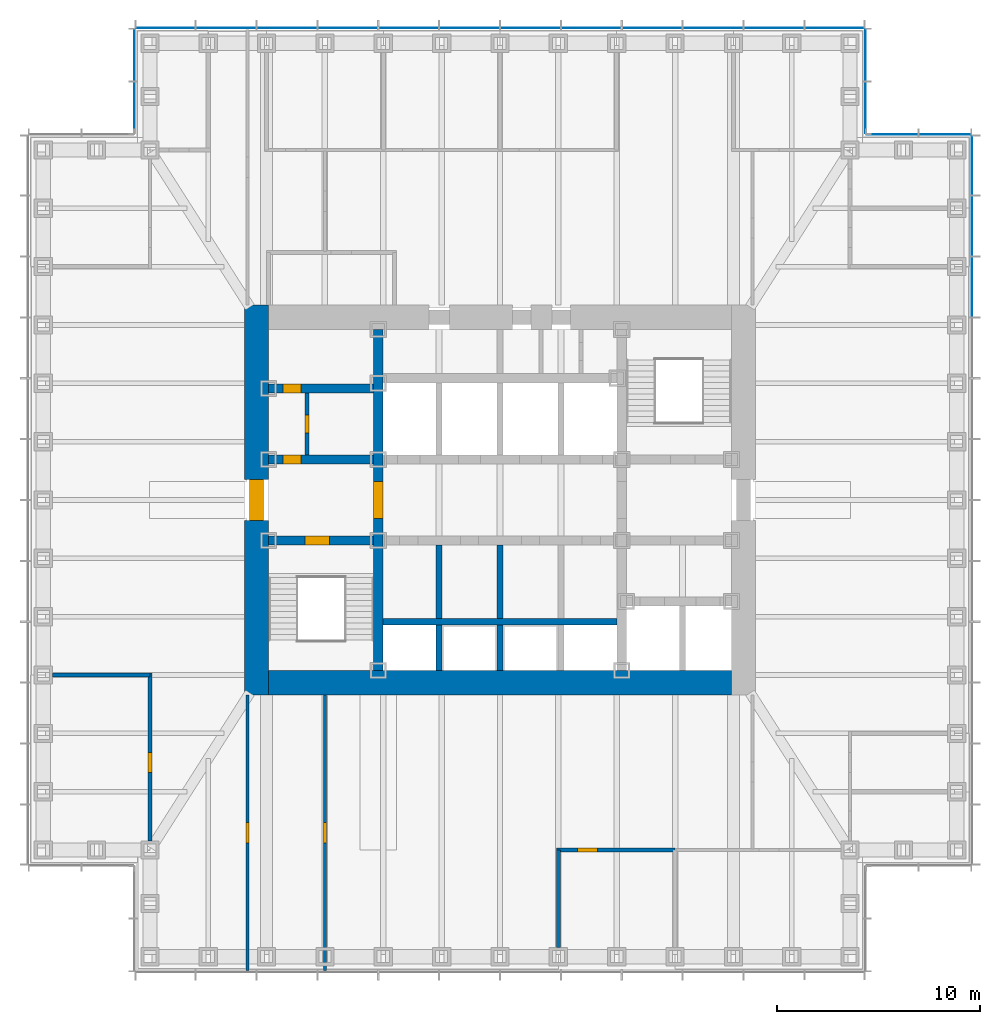
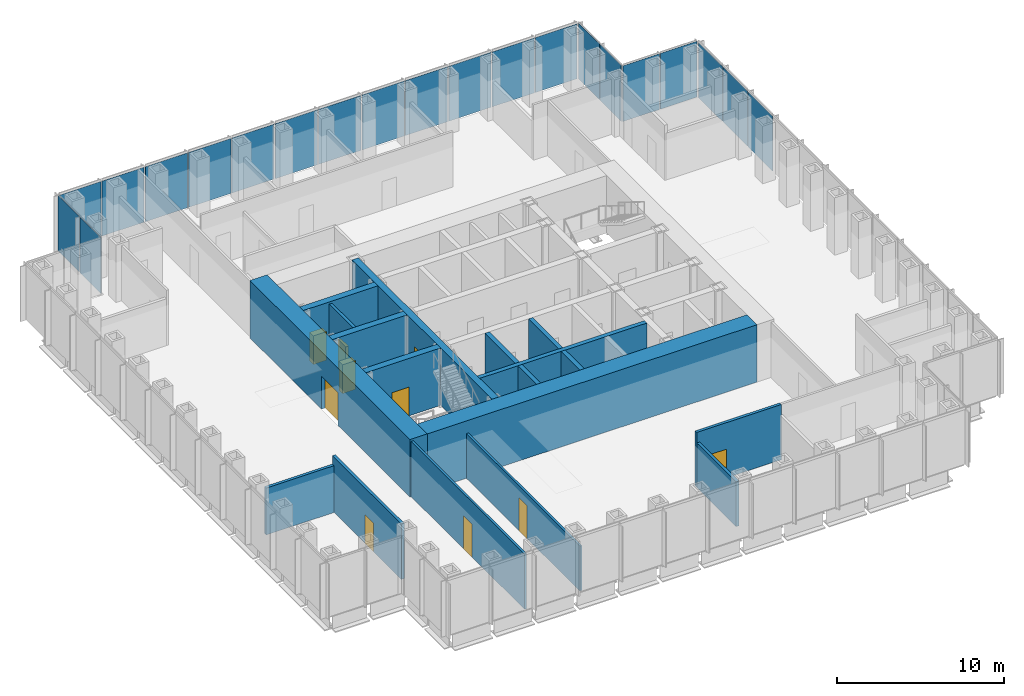
# One storey, part 8 of 17: 21 plates, 18 walls, 10 doors, 10 openings, 5 elements without a shape of their own.
"""IFC4 building model written with IfcOpenShell, lengths in metres."""

import ifcopenshell
import ifcopenshell.guid

model = None  # the IFC model being written
_history = None  # IfcOwnerHistory: only IFC2X3 demands one
_inside = {}  # id of a spatial element -> (the spatial element, [elements in it])
_under = {}  # id of a project, library or spatial element -> (it, [spatial elements below it])
_declared = {}  # id of a project -> (the project, [libraries it declares])
_typed = {}  # id of a type object -> (the type object, [elements of that type])
_made_of = {}  # id of a material, layer set ... -> (it, [elements and type objects made of it])


def new_model(schema):
    """Start an empty IFC model of exactly this schema.

    Asked for "IFC4X3", IfcOpenShell would pick the latest addendum, in which some entities
    have other attributes; the version numbers below select the first issue.
    IFC2X3 requires an IfcOwnerHistory on every rooted entity: one is made here for all.
    """
    global model, _history
    if schema == "IFC4X3":
        model = ifcopenshell.file(schema_version=(4, 3, 0, 0))
    else:
        model = ifcopenshell.file(schema=schema)
    _inside.clear()
    _under.clear()
    _declared.clear()
    _typed.clear()
    _made_of.clear()
    _history = None
    if model.schema == "IFC2X3":
        org = make("IfcOrganization", Name="unknown")
        user = make(
            "IfcPersonAndOrganization",
            ThePerson=make("IfcPerson", FamilyName="unknown"),
            TheOrganization=org,
        )
        app = make(
            "IfcApplication",
            ApplicationDeveloper=org,
            Version="unknown",
            ApplicationFullName="unknown",
            ApplicationIdentifier="unknown",
        )
        _history = make(
            "IfcOwnerHistory",
            OwningUser=user,
            OwningApplication=app,
            ChangeAction="ADDED",
            CreationDate=0,
        )
    return model


def make(cls, **values):
    """One entity of the class cls with the attributes given. An attribute that is None is left unset."""
    return model.create_entity(
        cls, **{name: value for name, value in values.items() if value is not None}
    )


def rooted(cls, **values):
    """An entity with a GlobalId (a new one), such as an element, a storey or a relation."""
    return make(cls, GlobalId=ifcopenshell.guid.new(), OwnerHistory=_history, **values)


def si_unit(unit_type, name, prefix=None):
    """IfcSIUnit, for example si_unit("LENGTHUNIT", "METRE", prefix="MILLI")."""
    return make("IfcSIUnit", UnitType=unit_type, Prefix=prefix, Name=name)


def assignment(units):
    """IfcUnitAssignment: the units of a project."""
    return None if units is None else make("IfcUnitAssignment", Units=units)


def point(xyz):
    """IfcCartesianPoint."""
    return None if xyz is None else make("IfcCartesianPoint", Coordinates=xyz)


def direction(xyz):
    """IfcDirection."""
    return None if xyz is None else make("IfcDirection", DirectionRatios=xyz)


def frame(location, z_axis=None, x_axis=None):
    """IfcAxis2Placement3D, a coordinate frame: its origin and axes. An axis left out is left unset."""
    return make(
        "IfcAxis2Placement3D",
        Location=point(location),
        Axis=direction(z_axis),
        RefDirection=direction(x_axis),
    )


def frame_2d(location, x_axis=None):
    """IfcAxis2Placement2D, a coordinate frame in the plane: its origin and x axis."""
    return make(
        "IfcAxis2Placement2D", Location=point(location), RefDirection=direction(x_axis)
    )


def origin():
    """The frame at (0, 0, 0) with its axes left unset."""
    return frame((0.0, 0.0, 0.0))


def origin_2d():
    """The frame at (0, 0) in the plane with its x axis left unset."""
    return frame_2d((0.0, 0.0))


def place(relative_to, where):
    """IfcLocalPlacement: puts the frame where relative to a parent placement (None: the world)."""
    return make(
        "IfcLocalPlacement", PlacementRelTo=relative_to, RelativePlacement=where
    )


def context(
    kind, dimensions, precision=None, world=None, true_north=None, identifier=None
):
    """IfcGeometricRepresentationContext, for example the 3D "Model" context."""
    return make(
        "IfcGeometricRepresentationContext",
        ContextIdentifier=identifier,
        ContextType=kind,
        CoordinateSpaceDimension=dimensions,
        Precision=precision,
        WorldCoordinateSystem=world,
        TrueNorth=true_north,
    )


def subcontext(parent, identifier, kind, view, scale=None):
    """IfcGeometricRepresentationSubContext, for example "Body" below "Model"."""
    return make(
        "IfcGeometricRepresentationSubContext",
        ContextIdentifier=identifier,
        ContextType=kind,
        ParentContext=parent,
        TargetScale=scale,
        TargetView=view,
    )


def project(units=None, contexts=None):
    """IfcProject with its units and contexts."""
    return rooted(
        "IfcProject",
        Name="project",
        RepresentationContexts=contexts,
        UnitsInContext=assignment(units),
    )


def spatial(cls, under=None, at=None, **own):
    """A site, building, storey or space (cls), placed at a placement, below another one or the project."""
    s = rooted(cls, ObjectPlacement=at, **own)
    if under is not None:
        _under.setdefault(under.id(), (under, []))[1].append(s)
    return s


def profile(cls, at=None, kind="AREA", **sizes):
    """A parametric profile (cls). Its sizes go by their IFC names, for example OverallWidth=200.0."""
    return make(cls, ProfileType=kind, Position=at, **sizes)


def rectangle(**sizes):
    """IfcRectangleProfileDef."""
    return profile("IfcRectangleProfileDef", **sizes)


def extrude(swept, where, along, depth):
    """IfcExtrudedAreaSolid: the profile swept, set in the frame where, extruded along a direction by depth."""
    return make(
        "IfcExtrudedAreaSolid",
        SweptArea=swept,
        Position=where,
        ExtrudedDirection=direction(along),
        Depth=depth,
    )


def shape(context_of_items, identifier, shape_type, items):
    """IfcShapeRepresentation: the items that make up one representation, for example the "Body"."""
    return make(
        "IfcShapeRepresentation",
        ContextOfItems=context_of_items,
        RepresentationIdentifier=identifier,
        RepresentationType=shape_type,
        Items=items,
    )


def material(Name=None, Category=None):
    """IfcMaterial."""
    return make("IfcMaterial", Name=Name, Category=Category)


def layer(
    of_material, thickness, ventilated=None, Name=None, Category=None, Priority=None
):
    """IfcMaterialLayer: one layer of a wall or slab, of a material (None: an air gap)."""
    return make(
        "IfcMaterialLayer",
        Material=of_material,
        LayerThickness=thickness,
        IsVentilated=ventilated,
        Name=Name,
        Category=Category,
        Priority=Priority,
    )


def layer_set(layers, Name=None):
    """IfcMaterialLayerSet."""
    return make("IfcMaterialLayerSet", MaterialLayers=layers, LayerSetName=Name)


def made_of(thing, what):
    """Note that an element or type object is made of a material, layer set ...; save() writes the relation."""
    if what is not None:
        _made_of.setdefault(what.id(), (what, []))[1].append(thing)
    return thing


def type_object(cls, material=None, **own):
    """A type object (cls), such as IfcWallType, which elements share."""
    return made_of(rooted(cls, **own), material)


def element(
    cls,
    number,
    at=None,
    inside=None,
    cuts=None,
    type_object=None,
    material=None,
    context=None,
    identifier="Body",
    shape_type=None,
    held_by="IfcProductDefinitionShape",
    body=None,
    shapes=None,
    **own,
):
    """One element of the class cls, such as IfcWall. Its Tag is "e" and its number.

    at: its placement. inside: the storey or other place that contains it. cuts: it is an
    opening in that element (IfcRelVoidsElement). A single representation is given by context,
    identifier, shape_type and body (its items); several are given by shapes. held_by: the class
    of the entity that holds the representations. save() writes the other relations.
    """
    e = rooted(cls, Tag="e%d" % number, ObjectPlacement=at, **own)
    if body is not None:
        shapes = [shape(context, identifier, shape_type, body)]
    if shapes is not None:
        e.Representation = make(held_by, Representations=shapes)
    if inside is not None:
        _inside.setdefault(inside.id(), (inside, []))[1].append(e)
    if cuts is not None:
        rooted(
            "IfcRelVoidsElement", RelatingBuildingElement=cuts, RelatedOpeningElement=e
        )
    if type_object is not None:
        _typed.setdefault(type_object.id(), (type_object, []))[1].append(e)
    return made_of(e, material)


def fill(opening, filler):
    """IfcRelFillsElement: the door or window that sits in an opening."""
    return rooted(
        "IfcRelFillsElement",
        RelatingOpeningElement=opening,
        RelatedBuildingElement=filler,
    )


def aggregate(whole, parts):
    """IfcRelAggregates: a whole, such as a stair, and the parts it consists of."""
    return rooted("IfcRelAggregates", RelatingObject=whole, RelatedObjects=parts)


def save(model, path):
    """Write the relations noted so far, then the file.

    IfcRelAggregates (storeys below a building ...), IfcRelContainedInSpatialStructure (elements
    in a storey), IfcRelDefinesByType, IfcRelAssociatesMaterial and IfcRelDeclares: one each for
    every whole, place, type object, material and project.
    """
    for whole, parts in _under.values():
        aggregate(whole, parts)
    for where, things in _inside.values():
        rooted(
            "IfcRelContainedInSpatialStructure",
            RelatedElements=things,
            RelatingStructure=where,
        )
    for kind, things in _typed.values():
        rooted("IfcRelDefinesByType", RelatedObjects=things, RelatingType=kind)
    for what, things in _made_of.values():
        rooted("IfcRelAssociatesMaterial", RelatedObjects=things, RelatingMaterial=what)
    for by, libraries in _declared.values():
        rooted("IfcRelDeclares", RelatingContext=by, RelatedDefinitions=libraries)
    model.write(path)


model = new_model("IFC4")

# Units and contexts
model_context = context("Model", 3, precision=1e-05, world=origin(), true_north=direction((0.0, 1.0)))
body_context = subcontext(model_context, "Body", "Model", "MODEL_VIEW")
ifc_project = project(units=[si_unit("LENGTHUNIT", "METRE"), si_unit("AREAUNIT", "SQUARE_METRE"), si_unit("VOLUMEUNIT", "CUBIC_METRE"), si_unit("PLANEANGLEUNIT", "RADIAN"), si_unit("MASSUNIT", "GRAM", prefix="KILO")], contexts=[model_context])

# Site, building, storey
site_placement = place(None, origin())
site = spatial("IfcSite", under=ifc_project, at=site_placement, CompositionType="ELEMENT")
building_placement = place(site_placement, origin())
building = spatial("IfcBuilding", under=site, at=building_placement, Name="Daluyong Arena Tower", CompositionType="ELEMENT")
storey_placement = place(building_placement, frame((0.0, 0.0, 129.10009765625)))
storey = spatial("IfcBuildingStorey", under=building, at=storey_placement, Name="L28", CompositionType="ELEMENT", Elevation=129.10009765625)

# Curtain wall, plates
ifc_material_1 = material(Name="Bronze anodised aluminium and glass", Category="aluminium")
curtain_wall_type_1 = type_object("IfcCurtainWallType", Name="Curtain wall CW2", PredefinedType="USERDEFINED", material=ifc_material_1)
curtain_wall_1_placement = place(storey_placement, origin())
curtain_wall_1 = element("IfcCurtainWall", 1, at=curtain_wall_1_placement, inside=storey, type_object=curtain_wall_type_1, Name="curtain wall L28 E", ObjectType="UNITISED CURTAIN WALL", PredefinedType="USERDEFINED")
ifc_material_2 = material(Name="Tinted double glazed unit", Category="glass")
ifc_layer_1 = layer(ifc_material_2, 0.031982421875)
ifc_layer_set_1 = layer_set([ifc_layer_1], Name="Tinted double glazed unit")
plate_type_1 = type_object("IfcPlateType", Name="CW2 panel 32", PredefinedType="CURTAIN_PANEL", material=ifc_layer_set_1)
plate_1_placement = place(storey_placement, frame((79.25, 90.5, 0.0), z_axis=(0.0, 0.0, 1.0), x_axis=(0.0, 1.0, 0.0)))
plate_1 = element("IfcPlate", 2, at=plate_1_placement, type_object=plate_type_1, Name="curtain wall L28 E panel 10", PredefinedType="CURTAIN_PANEL", context=body_context, shape_type="SweptSolid", body=[
    extrude(rectangle(XDim=2.919921875, YDim=0.031982421875, at=origin_2d()), origin(), (0.0, 0.0, 1.0), 4.02001953125),
])
plate_2_placement = place(storey_placement, frame((79.25, 93.5, 0.0), z_axis=(0.0, 0.0, 1.0), x_axis=(0.0, 1.0, 0.0)))
plate_2 = element("IfcPlate", 3, at=plate_2_placement, type_object=plate_type_1, Name="curtain wall L28 E panel 11", PredefinedType="CURTAIN_PANEL", context=body_context, shape_type="SweptSolid", body=[
    extrude(rectangle(XDim=2.919921875, YDim=0.031982421875, at=origin_2d()), origin(), (0.0, 0.0, 1.0), 4.02001953125),
])
plate_3_placement = place(storey_placement, frame((79.25, 96.47998046875, 0.0), z_axis=(0.0, 0.0, 1.0), x_axis=(0.0, 1.0, 0.0)))
plate_3 = element("IfcPlate", 4, at=plate_3_placement, type_object=plate_type_1, Name="curtain wall L28 E panel 12", PredefinedType="CURTAIN_PANEL", context=body_context, shape_type="SweptSolid", body=[
    extrude(rectangle(XDim=2.8798828125, YDim=0.031982421875, at=origin_2d()), origin(), (0.0, 0.0, 1.0), 4.02001953125),
])
aggregate(curtain_wall_1, [plate_1, plate_2, plate_3])

curtain_wall_2_placement = place(storey_placement, origin())
curtain_wall_2 = element("IfcCurtainWall", 5, at=curtain_wall_2_placement, inside=storey, type_object=curtain_wall_type_1, Name="curtain wall L28 N", ObjectType="UNITISED CURTAIN WALL", PredefinedType="USERDEFINED")
plate_4_placement = place(storey_placement, frame((72.47998046875, 103.25, 0.0), z_axis=(0.0, 0.0, 1.0), x_axis=(-1.0, 0.0, 0.0)))
plate_4 = element("IfcPlate", 6, at=plate_4_placement, type_object=plate_type_1, Name="curtain wall L28 N panel 1", PredefinedType="CURTAIN_PANEL", context=body_context, shape_type="SweptSolid", body=[
    extrude(rectangle(XDim=2.8798828125, YDim=0.031982421875, at=origin_2d()), origin(), (0.0, 0.0, 1.0), 4.02001953125),
])
plate_5_placement = place(storey_placement, frame((69.5, 103.25, 0.0), z_axis=(0.0, 0.0, 1.0), x_axis=(-1.0, 0.0, 0.0)))
plate_5 = element("IfcPlate", 7, at=plate_5_placement, type_object=plate_type_1, Name="curtain wall L28 N panel 2", PredefinedType="CURTAIN_PANEL", context=body_context, shape_type="SweptSolid", body=[
    extrude(rectangle(XDim=2.919921875, YDim=0.031982421875, at=origin_2d()), origin(), (0.0, 0.0, 1.0), 4.02001953125),
])
plate_6_placement = place(storey_placement, frame((66.5, 103.25, 0.0), z_axis=(0.0, 0.0, 1.0), x_axis=(-1.0, 0.0, 0.0)))
plate_6 = element("IfcPlate", 8, at=plate_6_placement, type_object=plate_type_1, Name="curtain wall L28 N panel 3", PredefinedType="CURTAIN_PANEL", context=body_context, shape_type="SweptSolid", body=[
    extrude(rectangle(XDim=2.919921875, YDim=0.031982421875, at=origin_2d()), origin(), (0.0, 0.0, 1.0), 4.02001953125),
])
plate_7_placement = place(storey_placement, frame((63.5, 103.25, 0.0), z_axis=(0.0, 0.0, 1.0), x_axis=(-1.0, 0.0, 0.0)))
plate_7 = element("IfcPlate", 9, at=plate_7_placement, type_object=plate_type_1, Name="curtain wall L28 N panel 4", PredefinedType="CURTAIN_PANEL", context=body_context, shape_type="SweptSolid", body=[
    extrude(rectangle(XDim=2.919921875, YDim=0.031982421875, at=origin_2d()), origin(), (0.0, 0.0, 1.0), 4.02001953125),
])
plate_8_placement = place(storey_placement, frame((60.5, 103.25, 0.0), z_axis=(0.0, 0.0, 1.0), x_axis=(-1.0, 0.0, 0.0)))
plate_8 = element("IfcPlate", 10, at=plate_8_placement, type_object=plate_type_1, Name="curtain wall L28 N panel 5", PredefinedType="CURTAIN_PANEL", context=body_context, shape_type="SweptSolid", body=[
    extrude(rectangle(XDim=2.919921875, YDim=0.031982421875, at=origin_2d()), origin(), (0.0, 0.0, 1.0), 4.02001953125),
])
plate_9_placement = place(storey_placement, frame((57.5, 103.25, 0.0), z_axis=(0.0, 0.0, 1.0), x_axis=(-1.0, 0.0, 0.0)))
plate_9 = element("IfcPlate", 11, at=plate_9_placement, type_object=plate_type_1, Name="curtain wall L28 N panel 6", PredefinedType="CURTAIN_PANEL", context=body_context, shape_type="SweptSolid", body=[
    extrude(rectangle(XDim=2.919921875, YDim=0.031982421875, at=origin_2d()), origin(), (0.0, 0.0, 1.0), 4.02001953125),
])
plate_10_placement = place(storey_placement, frame((54.5, 103.25, 0.0), z_axis=(0.0, 0.0, 1.0), x_axis=(-1.0, 0.0, 0.0)))
plate_10 = element("IfcPlate", 12, at=plate_10_placement, type_object=plate_type_1, Name="curtain wall L28 N panel 7", PredefinedType="CURTAIN_PANEL", context=body_context, shape_type="SweptSolid", body=[
    extrude(rectangle(XDim=2.919921875, YDim=0.031982421875, at=origin_2d()), origin(), (0.0, 0.0, 1.0), 4.02001953125),
])
plate_11_placement = place(storey_placement, frame((51.5, 103.25, 0.0), z_axis=(0.0, 0.0, 1.0), x_axis=(-1.0, 0.0, 0.0)))
plate_11 = element("IfcPlate", 13, at=plate_11_placement, type_object=plate_type_1, Name="curtain wall L28 N panel 8", PredefinedType="CURTAIN_PANEL", context=body_context, shape_type="SweptSolid", body=[
    extrude(rectangle(XDim=2.919921875, YDim=0.031982421875, at=origin_2d()), origin(), (0.0, 0.0, 1.0), 4.02001953125),
])
plate_12_placement = place(storey_placement, frame((48.5, 103.25, 0.0), z_axis=(0.0, 0.0, 1.0), x_axis=(-1.0, 0.0, 0.0)))
plate_12 = element("IfcPlate", 14, at=plate_12_placement, type_object=plate_type_1, Name="curtain wall L28 N panel 9", PredefinedType="CURTAIN_PANEL", context=body_context, shape_type="SweptSolid", body=[
    extrude(rectangle(XDim=2.919921875, YDim=0.031982421875, at=origin_2d()), origin(), (0.0, 0.0, 1.0), 4.02001953125),
])
plate_13_placement = place(storey_placement, frame((45.5, 103.25, 0.0), z_axis=(0.0, 0.0, 1.0), x_axis=(-1.0, 0.0, 0.0)))
plate_13 = element("IfcPlate", 15, at=plate_13_placement, type_object=plate_type_1, Name="curtain wall L28 N panel 10", PredefinedType="CURTAIN_PANEL", context=body_context, shape_type="SweptSolid", body=[
    extrude(rectangle(XDim=2.919921875, YDim=0.031982421875, at=origin_2d()), origin(), (0.0, 0.0, 1.0), 4.02001953125),
])
plate_14_placement = place(storey_placement, frame((42.5, 103.25, 0.0), z_axis=(0.0, 0.0, 1.0), x_axis=(-1.0, 0.0, 0.0)))
plate_14 = element("IfcPlate", 16, at=plate_14_placement, type_object=plate_type_1, Name="curtain wall L28 N panel 11", PredefinedType="CURTAIN_PANEL", context=body_context, shape_type="SweptSolid", body=[
    extrude(rectangle(XDim=2.919921875, YDim=0.031982421875, at=origin_2d()), origin(), (0.0, 0.0, 1.0), 4.02001953125),
])
plate_15_placement = place(storey_placement, frame((39.52001953125, 103.25, 0.0), z_axis=(0.0, 0.0, 1.0), x_axis=(-1.0, 0.0, 0.0)))
plate_15 = element("IfcPlate", 17, at=plate_15_placement, type_object=plate_type_1, Name="curtain wall L28 N panel 12", PredefinedType="CURTAIN_PANEL", context=body_context, shape_type="SweptSolid", body=[
    extrude(rectangle(XDim=2.8798828125, YDim=0.031982421875, at=origin_2d()), origin(), (0.0, 0.0, 1.0), 4.02001953125),
])
aggregate(curtain_wall_2, [plate_4, plate_5, plate_6, plate_7, plate_8, plate_9, plate_10, plate_11, plate_12, plate_13, plate_14, plate_15])

ifc_material_3 = material(Name="Bronze anodised aluminium and glass", Category="aluminium")
curtain_wall_type_2 = type_object("IfcCurtainWallType", Name="Curtain wall CW7", PredefinedType="USERDEFINED", material=ifc_material_3)
curtain_wall_3_placement = place(storey_placement, origin())
curtain_wall_3 = element("IfcCurtainWall", 18, at=curtain_wall_3_placement, inside=storey, type_object=curtain_wall_type_2, Name="curtain wall L28 NE-N", ObjectType="UNITISED CURTAIN WALL", PredefinedType="USERDEFINED")
ifc_material_4 = material(Name="Tinted double glazed unit", Category="glass")
ifc_layer_2 = layer(ifc_material_4, 0.028076171875)
ifc_layer_set_2 = layer_set([ifc_layer_2], Name="Tinted double glazed unit")
plate_type_2 = type_object("IfcPlateType", Name="CW7 panel 28", PredefinedType="CURTAIN_PANEL", material=ifc_layer_set_2)
plate_16_placement = place(storey_placement, frame((77.922607421875, 98.0, -0.000244140625), z_axis=(0.0, 0.0, 1.0), x_axis=(-1.0, 0.0, 0.0)))
plate_16 = element("IfcPlate", 19, at=plate_16_placement, type_object=plate_type_2, Name="curtain wall L28 NE-N panel 1", PredefinedType="CURTAIN_PANEL", context=body_context, shape_type="SweptSolid", body=[
    extrude(rectangle(XDim=2.534912109375, YDim=0.028076171875, at=origin_2d()), origin(), (0.0, 0.0, 1.0), 4.080078125),
])
plate_17_placement = place(storey_placement, frame((75.327392578125, 98.0, -0.000244140625), z_axis=(0.0, 0.0, 1.0), x_axis=(-1.0, 0.0, 0.0)))
plate_17 = element("IfcPlate", 20, at=plate_17_placement, type_object=plate_type_2, Name="curtain wall L28 NE-N panel 2", PredefinedType="CURTAIN_PANEL", context=body_context, shape_type="SweptSolid", body=[
    extrude(rectangle(XDim=2.534912109375, YDim=0.028076171875, at=origin_2d()), origin(), (0.0, 0.0, 1.0), 4.080078125),
])
aggregate(curtain_wall_3, [plate_16, plate_17])

curtain_wall_4_placement = place(storey_placement, origin())
curtain_wall_4 = element("IfcCurtainWall", 21, at=curtain_wall_4_placement, inside=storey, type_object=curtain_wall_type_2, Name="curtain wall L28 NE-E", ObjectType="UNITISED CURTAIN WALL", PredefinedType="USERDEFINED")
plate_18_placement = place(storey_placement, frame((74.0, 99.327392578125, -0.000244140625), z_axis=(0.0, 0.0, 1.0), x_axis=(0.0, 1.0, 0.0)))
plate_18 = element("IfcPlate", 22, at=plate_18_placement, type_object=plate_type_2, Name="curtain wall L28 NE-E panel 1", PredefinedType="CURTAIN_PANEL", context=body_context, shape_type="SweptSolid", body=[
    extrude(rectangle(XDim=2.534912109375, YDim=0.028076171875, at=origin_2d()), origin(), (0.0, 0.0, 1.0), 4.080078125),
])
plate_19_placement = place(storey_placement, frame((74.0, 101.922607421875, -0.000244140625), z_axis=(0.0, 0.0, 1.0), x_axis=(0.0, 1.0, 0.0)))
plate_19 = element("IfcPlate", 23, at=plate_19_placement, type_object=plate_type_2, Name="curtain wall L28 NE-E panel 2", PredefinedType="CURTAIN_PANEL", context=body_context, shape_type="SweptSolid", body=[
    extrude(rectangle(XDim=2.534912109375, YDim=0.028076171875, at=origin_2d()), origin(), (0.0, 0.0, 1.0), 4.080078125),
])
aggregate(curtain_wall_4, [plate_18, plate_19])

curtain_wall_5_placement = place(storey_placement, origin())
curtain_wall_5 = element("IfcCurtainWall", 24, at=curtain_wall_5_placement, inside=storey, type_object=curtain_wall_type_2, Name="curtain wall L28 NW-W", ObjectType="UNITISED CURTAIN WALL", PredefinedType="USERDEFINED")
plate_20_placement = place(storey_placement, frame((38.0, 101.922607421875, -0.000244140625), z_axis=(0.0, 0.0, 1.0), x_axis=(0.0, -1.0, 0.0)))
plate_20 = element("IfcPlate", 25, at=plate_20_placement, type_object=plate_type_2, Name="curtain wall L28 NW-W panel 1", PredefinedType="CURTAIN_PANEL", context=body_context, shape_type="SweptSolid", body=[
    extrude(rectangle(XDim=2.534912109375, YDim=0.028076171875, at=origin_2d()), origin(), (0.0, 0.0, 1.0), 4.080078125),
])
plate_21_placement = place(storey_placement, frame((38.0, 99.327392578125, -0.000244140625), z_axis=(0.0, 0.0, 1.0), x_axis=(0.0, -1.0, 0.0)))
plate_21 = element("IfcPlate", 26, at=plate_21_placement, type_object=plate_type_2, Name="curtain wall L28 NW-W panel 2", PredefinedType="CURTAIN_PANEL", context=body_context, shape_type="SweptSolid", body=[
    extrude(rectangle(XDim=2.534912109375, YDim=0.028076171875, at=origin_2d()), origin(), (0.0, 0.0, 1.0), 4.080078125),
])
aggregate(curtain_wall_5, [plate_20, plate_21])

# Wall, opening, door
ifc_material_5 = material(Name="Concrete fc' 45 MPa", Category="concrete")
ifc_layer_3 = layer(ifc_material_5, 0.449951171875)
ifc_layer_set_3 = layer_set([ifc_layer_3], Name="Concrete fc' 45 MPa")
wall_type_1 = type_object("IfcWallType", Name="Core inner wall 450", PredefinedType="SHEAR", material=ifc_layer_set_3)
wall_1_placement = place(storey_placement, frame((50.0, 71.60009765625, 0.0), z_axis=(0.0, 0.0, 1.0), x_axis=(0.0, 1.0, 0.0)))
wall_1 = element("IfcWall", 27, at=wall_1_placement, inside=storey, type_object=wall_type_1, Name="core inner wall at L28", PredefinedType="SHEAR", context=body_context, shape_type="SweptSolid", body=[
    extrude(rectangle(XDim=16.7998046875, YDim=0.449951171875, at=frame_2d((8.39990234375, 0.0))), origin(), (0.0, 0.0, 1.0), 4.199951171875),
])
opening_1_placement = place(wall_1_placement, frame((7.5, 0.0, 0.0)))
opening_1 = element("IfcOpeningElement", 28, at=opening_1_placement, cuts=wall_1, Name="Opening 28016", PredefinedType="OPENING", context=body_context, shape_type="SweptSolid", body=[
    extrude(rectangle(XDim=1.800048828125, YDim=2.39990234375, at=frame_2d((0.89990234375, 1.199951171875))), frame((0.0, 0.23486328125, 0.0), z_axis=(0.0, -1.0, 0.0), x_axis=(1.0, 0.0, 0.0)), (0.0, 0.0, 1.0), 0.469970703125),
])
ifc_material_6 = material(Name="Steel door, fire rated", Category="steel")
door_type_1 = type_object("IfcDoorType", Name="Lift lobby opening door 1800", OperationType="DOUBLE_DOOR_SINGLE_SWING", PredefinedType="DOOR", material=ifc_material_6)
door_1_placement = place(opening_1_placement, origin())
door_1 = element("IfcDoor", 29, at=door_1_placement, inside=storey, type_object=door_type_1, Name="lift lobby door west 28016", OperationType="DOUBLE_DOOR_SINGLE_SWING", OverallHeight=2.39990234375, OverallWidth=1.800048828125, PredefinedType="DOOR", context=body_context, shape_type="SweptSolid", body=[
    extrude(rectangle(XDim=1.800048828125, YDim=2.39990234375, at=frame_2d((0.89990234375, 1.199951171875))), frame((0.0, 0.224609375, 0.0), z_axis=(0.0, -1.0, 0.0), x_axis=(1.0, 0.0, 0.0)), (0.0, 0.0, 1.0), 0.449462890625),
])
fill(opening_1, door_1)

wall_2_placement = place(storey_placement, frame((44.60009765625, 78.0, 0.0), z_axis=(0.0, 0.0, 1.0), x_axis=(1.0, 0.0, 0.0)))
wall_2 = element("IfcWall", 30, at=wall_2_placement, inside=storey, type_object=wall_type_1, Name="core inner wall at L28", PredefinedType="SHEAR", context=body_context, shape_type="SweptSolid", body=[
    extrude(rectangle(XDim=5.1748046875, YDim=0.449951171875, at=frame_2d((2.58740234375, 0.0))), origin(), (0.0, 0.0, 1.0), 4.199951171875),
])
opening_2_placement = place(wall_2_placement, frame((1.800048828125, 0.0, 0.0)))
opening_2 = element("IfcOpeningElement", 31, at=opening_2_placement, cuts=wall_2, Name="Opening 28012", PredefinedType="OPENING", context=body_context, shape_type="SweptSolid", body=[
    extrude(rectangle(XDim=1.199951171875, YDim=2.10009765625, at=frame_2d((0.60009765625, 1.050048828125))), frame((0.0, 0.23486328125, 0.0), z_axis=(0.0, -1.0, 0.0), x_axis=(1.0, 0.0, 0.0)), (0.0, 0.0, 1.0), 0.469970703125),
])
ifc_material_7 = material(Name="Steel door, fire rated", Category="steel")
door_type_2 = type_object("IfcDoorType", Name="Stair door 1200", OperationType="SINGLE_SWING_LEFT", PredefinedType="DOOR", material=ifc_material_7)
door_2_placement = place(opening_2_placement, origin())
door_2 = element("IfcDoor", 32, at=door_2_placement, inside=storey, type_object=door_type_2, Name="stair A door 28012", OperationType="SINGLE_SWING_LEFT", OverallHeight=2.10009765625, OverallWidth=1.199951171875, PredefinedType="DOOR", context=body_context, shape_type="SweptSolid", body=[
    extrude(rectangle(XDim=1.199951171875, YDim=2.10009765625, at=frame_2d((0.60009765625, 1.050048828125))), frame((0.0, 0.224609375, 0.0), z_axis=(0.0, -1.0, 0.0), x_axis=(1.0, 0.0, 0.0)), (0.0, 0.0, 1.0), 0.449462890625),
])
fill(opening_2, door_2)

wall_3_placement = place(storey_placement, frame((44.60009765625, 82.0, 0.0), z_axis=(0.0, 0.0, 1.0), x_axis=(1.0, 0.0, 0.0)))
wall_3 = element("IfcWall", 33, at=wall_3_placement, inside=storey, type_object=wall_type_1, Name="core inner wall at L28", PredefinedType="SHEAR", context=body_context, shape_type="SweptSolid", body=[
    extrude(rectangle(XDim=5.1748046875, YDim=0.449951171875, at=frame_2d((2.58740234375, 0.0))), origin(), (0.0, 0.0, 1.0), 4.199951171875),
])
opening_3_placement = place(wall_3_placement, frame((0.699951171875, 0.0, 0.0)))
opening_3 = element("IfcOpeningElement", 34, at=opening_3_placement, cuts=wall_3, Name="Opening 28001", PredefinedType="OPENING", context=body_context, shape_type="SweptSolid", body=[
    extrude(rectangle(XDim=0.89990234375, YDim=2.10009765625, at=frame_2d((0.449951171875, 1.050048828125))), frame((0.0, 0.23486328125, 0.0), z_axis=(0.0, -1.0, 0.0), x_axis=(1.0, 0.0, 0.0)), (0.0, 0.0, 1.0), 0.469970703125),
])
ifc_material_8 = material(Name="Steel door, fire rated", Category="steel")
door_type_3 = type_object("IfcDoorType", Name="Core room door 900", OperationType="SINGLE_SWING_LEFT", PredefinedType="DOOR", material=ifc_material_8)
door_3_placement = place(opening_3_placement, origin())
door_3 = element("IfcDoor", 35, at=door_3_placement, inside=storey, type_object=door_type_3, Name="toilet lobby door 28001", OperationType="SINGLE_SWING_LEFT", OverallHeight=2.10009765625, OverallWidth=0.89990234375, PredefinedType="DOOR", context=body_context, shape_type="SweptSolid", body=[
    extrude(rectangle(XDim=0.89990234375, YDim=2.10009765625, at=frame_2d((0.449951171875, 1.050048828125))), frame((0.0, 0.224609375, 0.0), z_axis=(0.0, -1.0, 0.0), x_axis=(1.0, 0.0, 0.0)), (0.0, 0.0, 1.0), 0.449462890625),
])
fill(opening_3, door_3)

wall_4_placement = place(storey_placement, frame((44.60009765625, 85.5, 0.0), z_axis=(0.0, 0.0, 1.0), x_axis=(1.0, 0.0, 0.0)))
wall_4 = element("IfcWall", 36, at=wall_4_placement, inside=storey, type_object=wall_type_1, Name="core inner wall at L28", PredefinedType="SHEAR", context=body_context, shape_type="SweptSolid", body=[
    extrude(rectangle(XDim=5.1748046875, YDim=0.449951171875, at=frame_2d((2.58740234375, 0.0))), origin(), (0.0, 0.0, 1.0), 4.199951171875),
])
opening_4_placement = place(wall_4_placement, frame((0.699951171875, 0.0, 0.0)))
opening_4 = element("IfcOpeningElement", 37, at=opening_4_placement, cuts=wall_4, Name="Opening 28003", PredefinedType="OPENING", context=body_context, shape_type="SweptSolid", body=[
    extrude(rectangle(XDim=0.89990234375, YDim=2.10009765625, at=frame_2d((0.449951171875, 1.050048828125))), frame((0.0, 0.23486328125, 0.0), z_axis=(0.0, -1.0, 0.0), x_axis=(1.0, 0.0, 0.0)), (0.0, 0.0, 1.0), 0.469970703125),
])
ifc_material_9 = material(Name="Timber door", Category="wood")
door_type_4 = type_object("IfcDoorType", Name="Toilet door 900", OperationType="SINGLE_SWING_RIGHT", PredefinedType="DOOR", material=ifc_material_9)
door_4_placement = place(opening_4_placement, origin())
door_4 = element("IfcDoor", 38, at=door_4_placement, inside=storey, type_object=door_type_4, Name="female toilet door 28003", OperationType="SINGLE_SWING_RIGHT", OverallHeight=2.10009765625, OverallWidth=0.89990234375, PredefinedType="DOOR", context=body_context, shape_type="SweptSolid", body=[
    extrude(rectangle(XDim=0.89990234375, YDim=2.10009765625, at=frame_2d((0.449951171875, 1.050048828125))), frame((0.0, 0.224609375, 0.0), z_axis=(0.0, -1.0, 0.0), x_axis=(1.0, 0.0, 0.0)), (0.0, 0.0, 1.0), 0.449462890625),
])
fill(opening_4, door_4)

ifc_material_10 = material(Name="Concrete fc' 60 MPa", Category="concrete")
ifc_layer_4 = layer(ifc_material_10, 1.199951171875)
ifc_layer_set_4 = layer_set([ifc_layer_4], Name="Concrete fc' 60 MPa")
wall_type_2 = type_object("IfcWallType", Name="Core wall 1200", PredefinedType="SHEAR", material=ifc_layer_set_4)
wall_5_placement = place(storey_placement, frame((44.0, 70.39990234375, 0.0), z_axis=(0.0, 0.0, 1.0), x_axis=(0.0, 1.0, 0.0)))
wall_5 = element("IfcWall", 39, at=wall_5_placement, inside=storey, type_object=wall_type_2, Name="core wall at L28", PredefinedType="SHEAR", context=body_context, shape_type="SweptSolid", body=[
    extrude(rectangle(XDim=19.2001953125, YDim=1.199951171875, at=frame_2d((9.60009765625, 0.0))), origin(), (0.0, 0.0, 1.0), 4.199951171875),
])
opening_5_placement = place(wall_5_placement, frame((8.60009765625, 0.0, 0.0)))
opening_5 = element("IfcOpeningElement", 40, at=opening_5_placement, cuts=wall_5, Name="Opening 28014", PredefinedType="OPENING", context=body_context, shape_type="SweptSolid", body=[
    extrude(rectangle(XDim=2.0, YDim=2.39990234375, at=frame_2d((1.0, 1.199951171875))), frame((0.0, 0.60986328125, 0.0), z_axis=(0.0, -1.0, 0.0), x_axis=(1.0, 0.0, 0.0)), (0.0, 0.0, 1.0), 1.219970703125),
])
ifc_material_11 = material(Name="Steel door, fire rated", Category="steel")
door_type_5 = type_object("IfcDoorType", Name="Core lobby double door 2000", OperationType="DOUBLE_DOOR_SINGLE_SWING", PredefinedType="DOOR", material=ifc_material_11)
door_5_placement = place(opening_5_placement, origin())
door_5 = element("IfcDoor", 41, at=door_5_placement, inside=storey, type_object=door_type_5, Name="core lobby door west 28014", OperationType="DOUBLE_DOOR_SINGLE_SWING", OverallHeight=2.39990234375, OverallWidth=2.0, PredefinedType="DOOR", context=body_context, shape_type="SweptSolid", body=[
    extrude(rectangle(XDim=2.0, YDim=2.39990234375, at=frame_2d((1.0, 1.199951171875))), frame((0.0, 0.35009765625, 0.0), z_axis=(0.0, -1.0, 0.0), x_axis=(1.0, 0.0, 0.0)), (0.0, 0.0, 1.0), 0.699951171875),
])
fill(opening_5, door_5)

# Wall
wall_6_placement = place(storey_placement, frame((44.60009765625, 71.0, 0.0), z_axis=(0.0, 0.0, 1.0), x_axis=(1.0, 0.0, 0.0)))
element("IfcWall", 42, at=wall_6_placement, inside=storey, type_object=wall_type_2, Name="core wall at L28", PredefinedType="SHEAR", context=body_context, shape_type="SweptSolid", body=[
    extrude(rectangle(XDim=22.7998046875, YDim=1.199951171875, at=frame_2d((11.39990234375, 0.0))), origin(), (0.0, 0.0, 1.0), 4.199951171875),
])

# Wall, opening, door
ifc_material_12 = material(Name="Concrete block partition, fire rated", Category="concrete")
ifc_layer_5 = layer(ifc_material_12, 0.199951171875)
ifc_layer_set_5 = layer_set([ifc_layer_5], Name="Concrete block partition, fire rated")
wall_type_3 = type_object("IfcWallType", Name="Fire-rated partition 200", PredefinedType="PARTITIONING", material=ifc_layer_set_5)
wall_7_placement = place(storey_placement, frame((46.5, 82.22509765625, 0.0), z_axis=(0.0, 0.0, 1.0), x_axis=(0.0, 1.0, 0.0)))
wall_7 = element("IfcWall", 43, at=wall_7_placement, inside=storey, type_object=wall_type_3, Name="toilet lobby partition at L28", PredefinedType="PARTITIONING", context=body_context, shape_type="SweptSolid", body=[
    extrude(rectangle(XDim=3.0498046875, YDim=0.199951171875, at=frame_2d((1.52490234375, 0.0))), origin(), (0.0, 0.0, 1.0), 4.039794921875),
])
opening_6_placement = place(wall_7_placement, frame((1.074951171875, 0.0, 0.0)))
opening_6 = element("IfcOpeningElement", 44, at=opening_6_placement, cuts=wall_7, Name="Opening 28002", PredefinedType="OPENING", context=body_context, shape_type="SweptSolid", body=[
    extrude(rectangle(XDim=0.89990234375, YDim=2.10009765625, at=frame_2d((0.449951171875, 1.050048828125))), frame((0.0, 0.10986328125, 0.0), z_axis=(0.0, -1.0, 0.0), x_axis=(1.0, 0.0, 0.0)), (0.0, 0.0, 1.0), 0.219970703125),
])
door_6_placement = place(opening_6_placement, origin())
door_6 = element("IfcDoor", 45, at=door_6_placement, inside=storey, type_object=door_type_4, Name="male toilet door 28002", OperationType="SINGLE_SWING_RIGHT", OverallHeight=2.10009765625, OverallWidth=0.89990234375, PredefinedType="DOOR", context=body_context, shape_type="SweptSolid", body=[
    extrude(rectangle(XDim=0.89990234375, YDim=2.10009765625, at=frame_2d((0.449951171875, 1.050048828125))), frame((0.0, 0.099609375, 0.0), z_axis=(0.0, -1.0, 0.0), x_axis=(1.0, 0.0, 0.0)), (0.0, 0.0, 1.0), 0.199462890625),
])
fill(opening_6, door_6)

ifc_material_13 = material(Name="Glazed aluminium partition", Category="aluminium")
ifc_layer_6 = layer(ifc_material_13, 0.14990234375)
ifc_layer_set_6 = layer_set([ifc_layer_6], Name="Glazed aluminium partition")
wall_type_4 = type_object("IfcWallType", Name="Glazed partition 150", PredefinedType="PARTITIONING", material=ifc_layer_set_6)
wall_8_placement = place(storey_placement, frame((43.550048828125, 56.81005859375, 0.0), z_axis=(0.0, 0.0, 1.0), x_axis=(0.0, 1.0, 0.0)))
wall_8 = element("IfcWall", 46, at=wall_8_placement, inside=storey, type_object=wall_type_4, Name="glazed partition at L28", PredefinedType="PARTITIONING", context=body_context, shape_type="SweptSolid", body=[
    extrude(rectangle(XDim=13.58984375, YDim=0.14990234375, at=frame_2d((6.794921875, 0.0))), origin(), (0.0, 0.0, 1.0), 4.039794921875),
])
opening_7_placement = place(wall_8_placement, frame((6.294921875, 0.0, 0.0)))
opening_7 = element("IfcOpeningElement", 47, at=opening_7_placement, cuts=wall_8, Name="Opening 28039", PredefinedType="OPENING", context=body_context, shape_type="SweptSolid", body=[
    extrude(rectangle(XDim=1.0, YDim=2.39990234375, at=frame_2d((0.5, 1.199951171875))), frame((0.0, 0.0849609375, 0.0), z_axis=(0.0, -1.0, 0.0), x_axis=(1.0, 0.0, 0.0)), (0.0, 0.0, 1.0), 0.169921875),
])
ifc_material_14 = material(Name="Glazed aluminium door", Category="aluminium")
door_type_6 = type_object("IfcDoorType", Name="Meeting room glazed door 1000", OperationType="SINGLE_SWING_RIGHT", PredefinedType="DOOR", material=ifc_material_14)
door_7_placement = place(opening_7_placement, origin())
door_7 = element("IfcDoor", 48, at=door_7_placement, inside=storey, type_object=door_type_6, Name="team area screen door 28039", OperationType="SINGLE_SWING_RIGHT", OverallHeight=2.39990234375, OverallWidth=1.0, PredefinedType="DOOR", context=body_context, shape_type="SweptSolid", body=[
    extrude(rectangle(XDim=1.0, YDim=2.39990234375, at=frame_2d((0.5, 1.199951171875))), frame((0.0, 0.07470703125, 0.0), z_axis=(0.0, -1.0, 0.0), x_axis=(1.0, 0.0, 0.0)), (0.0, 0.0, 1.0), 0.1494140625),
])
fill(opening_7, door_7)

wall_9_placement = place(storey_placement, frame((47.375, 56.81005859375, 0.0), z_axis=(0.0, 0.0, 1.0), x_axis=(0.0, 1.0, 0.0)))
wall_9 = element("IfcWall", 49, at=wall_9_placement, inside=storey, type_object=wall_type_4, Name="glazed partition at L28", PredefinedType="PARTITIONING", context=body_context, shape_type="SweptSolid", body=[
    extrude(rectangle(XDim=13.58984375, YDim=0.14990234375, at=frame_2d((6.794921875, 0.0))), origin(), (0.0, 0.0, 1.0), 3.27783203125),
])
opening_8_placement = place(wall_9_placement, frame((6.294921875, 0.0, 0.0)))
opening_8 = element("IfcOpeningElement", 50, at=opening_8_placement, cuts=wall_9, Name="Opening 28043", PredefinedType="OPENING", context=body_context, shape_type="SweptSolid", body=[
    extrude(rectangle(XDim=1.0, YDim=2.39990234375, at=frame_2d((0.5, 1.199951171875))), frame((0.0, 0.0849609375, 0.0), z_axis=(0.0, -1.0, 0.0), x_axis=(1.0, 0.0, 0.0)), (0.0, 0.0, 1.0), 0.169921875),
])
door_8_placement = place(opening_8_placement, origin())
door_8 = element("IfcDoor", 51, at=door_8_placement, inside=storey, type_object=door_type_6, Name="team area screen door 28043", OperationType="SINGLE_SWING_RIGHT", OverallHeight=2.39990234375, OverallWidth=1.0, PredefinedType="DOOR", context=body_context, shape_type="SweptSolid", body=[
    extrude(rectangle(XDim=1.0, YDim=2.39990234375, at=frame_2d((0.5, 1.199951171875))), frame((0.0, 0.07470703125, 0.0), z_axis=(0.0, -1.0, 0.0), x_axis=(1.0, 0.0, 0.0)), (0.0, 0.0, 1.0), 0.1494140625),
])
fill(opening_8, door_8)

# Walls
ifc_material_15 = material(Name="Concrete fc' 45 MPa", Category="concrete")
ifc_layer_7 = layer(ifc_material_15, 0.300048828125)
ifc_layer_set_7 = layer_set([ifc_layer_7], Name="Concrete fc' 45 MPa")
wall_type_5 = type_object("IfcWallType", Name="Lift shaft wall 300", PredefinedType="SHEAR", material=ifc_layer_set_7)
wall_10_placement = place(storey_placement, frame((50.22509765625, 74.0, 0.0), z_axis=(0.0, 0.0, 1.0), x_axis=(1.0, 0.0, 0.0)))
element("IfcWall", 52, at=wall_10_placement, inside=storey, type_object=wall_type_5, Name="lift shaft wall at L28", PredefinedType="SHEAR", context=body_context, shape_type="SweptSolid", body=[
    extrude(rectangle(XDim=11.5498046875, YDim=0.300048828125, at=frame_2d((5.77490234375, 0.0))), origin(), (0.0, 0.0, 1.0), 4.199951171875),
])
wall_11_placement = place(storey_placement, frame((53.0, 71.60009765625, 0.0), z_axis=(0.0, 0.0, 1.0), x_axis=(0.0, 1.0, 0.0)))
element("IfcWall", 53, at=wall_11_placement, inside=storey, type_object=wall_type_5, Name="lift shaft wall at L28", PredefinedType="SHEAR", context=body_context, shape_type="SweptSolid", body=[
    extrude(rectangle(XDim=2.25, YDim=0.300048828125, at=frame_2d((1.125, 0.0))), origin(), (0.0, 0.0, 1.0), 4.199951171875),
])
wall_12_placement = place(storey_placement, frame((53.0, 74.14990234375, 0.0), z_axis=(0.0, 0.0, 1.0), x_axis=(0.0, 1.0, 0.0)))
element("IfcWall", 54, at=wall_12_placement, inside=storey, type_object=wall_type_5, Name="lift shaft wall at L28", PredefinedType="SHEAR", context=body_context, shape_type="SweptSolid", body=[
    extrude(rectangle(XDim=3.625, YDim=0.300048828125, at=frame_2d((1.8125, 0.0))), origin(), (0.0, 0.0, 1.0), 4.199951171875),
])
wall_13_placement = place(storey_placement, frame((56.0, 71.60009765625, 0.0), z_axis=(0.0, 0.0, 1.0), x_axis=(0.0, 1.0, 0.0)))
element("IfcWall", 55, at=wall_13_placement, inside=storey, type_object=wall_type_5, Name="lift shaft wall at L28", PredefinedType="SHEAR", context=body_context, shape_type="SweptSolid", body=[
    extrude(rectangle(XDim=2.25, YDim=0.300048828125, at=frame_2d((1.125, 0.0))), origin(), (0.0, 0.0, 1.0), 4.199951171875),
])
wall_14_placement = place(storey_placement, frame((56.0, 74.14990234375, 0.0), z_axis=(0.0, 0.0, 1.0), x_axis=(0.0, 1.0, 0.0)))
element("IfcWall", 56, at=wall_14_placement, inside=storey, type_object=wall_type_5, Name="lift shaft wall at L28", PredefinedType="SHEAR", context=body_context, shape_type="SweptSolid", body=[
    extrude(rectangle(XDim=3.625, YDim=0.300048828125, at=frame_2d((1.8125, 0.0))), origin(), (0.0, 0.0, 1.0), 4.199951171875),
])
ifc_material_16 = material(Name="Concrete block partition", Category="concrete")
ifc_layer_8 = layer(ifc_material_16, 0.199951171875)
ifc_layer_set_8 = layer_set([ifc_layer_8], Name="Concrete block partition")
wall_type_6 = type_object("IfcWallType", Name="Partition 200", PredefinedType="PARTITIONING", material=ifc_layer_set_8)
wall_15_placement = place(storey_placement, frame((58.875, 57.949951171875, 0.0), z_axis=(0.0, 0.0, 1.0), x_axis=(0.0, 1.0, 0.0)))
element("IfcWall", 57, at=wall_15_placement, inside=storey, type_object=wall_type_6, Name="partition at L28", PredefinedType="PARTITIONING", context=body_context, shape_type="SweptSolid", body=[
    extrude(rectangle(XDim=4.800048828125, YDim=0.199951171875, at=frame_2d((2.39990234375, 0.0))), origin(), (0.0, 0.0, 1.0), 3.27783203125),
])
wall_16_placement = place(storey_placement, frame((33.949951171875, 71.375, 0.0), z_axis=(0.0, 0.0, 1.0), x_axis=(1.0, 0.0, 0.0)))
element("IfcWall", 58, at=wall_16_placement, inside=storey, type_object=wall_type_6, Name="partition at L28", PredefinedType="PARTITIONING", context=body_context, shape_type="SweptSolid", body=[
    extrude(rectangle(XDim=4.800048828125, YDim=0.199951171875, at=frame_2d((2.39990234375, 0.0))), origin(), (0.0, 0.0, 1.0), 3.427734375),
])

# Wall, opening, door
wall_17_placement = place(storey_placement, frame((58.77490234375, 62.75, 0.0), z_axis=(0.0, 0.0, 1.0), x_axis=(1.0, 0.0, 0.0)))
wall_17 = element("IfcWall", 59, at=wall_17_placement, inside=storey, type_object=wall_type_6, Name="partition at L28", PredefinedType="PARTITIONING", context=body_context, shape_type="SweptSolid", body=[
    extrude(rectangle(XDim=5.85009765625, YDim=0.199951171875, at=frame_2d((2.925048828125, 0.0))), origin(), (0.0, 0.0, 1.0), 4.039794921875),
])
opening_9_placement = place(wall_17_placement, frame((1.03759765625, 0.0, 0.0)))
opening_9 = element("IfcOpeningElement", 60, at=opening_9_placement, cuts=wall_17, Name="Opening 28025", PredefinedType="OPENING", context=body_context, shape_type="SweptSolid", body=[
    extrude(rectangle(XDim=1.0, YDim=2.10009765625, at=frame_2d((0.5, 1.050048828125))), frame((0.0, 0.10986328125, 0.0), z_axis=(0.0, -1.0, 0.0), x_axis=(1.0, 0.0, 0.0)), (0.0, 0.0, 1.0), 0.219970703125),
])
ifc_material_17 = material(Name="Timber door", Category="wood")
door_type_7 = type_object("IfcDoorType", Name="Room door 1000", OperationType="SINGLE_SWING_LEFT", PredefinedType="DOOR", material=ifc_material_17)
door_9_placement = place(opening_9_placement, origin())
door_9 = element("IfcDoor", 61, at=door_9_placement, inside=storey, type_object=door_type_7, Name="pantry door 28025", OperationType="SINGLE_SWING_LEFT", OverallHeight=2.10009765625, OverallWidth=1.0, PredefinedType="DOOR", context=body_context, shape_type="SweptSolid", body=[
    extrude(rectangle(XDim=1.0, YDim=2.10009765625, at=frame_2d((0.5, 1.050048828125))), frame((0.0, 0.099609375, 0.0), z_axis=(0.0, -1.0, 0.0), x_axis=(1.0, 0.0, 0.0)), (0.0, 0.0, 1.0), 0.199462890625),
])
fill(opening_9, door_9)

wall_18_placement = place(storey_placement, frame((38.75, 63.199951171875, 0.0), z_axis=(0.0, 0.0, 1.0), x_axis=(0.0, 1.0, 0.0)))
wall_18 = element("IfcWall", 62, at=wall_18_placement, inside=storey, type_object=wall_type_6, Name="partition at L28", PredefinedType="PARTITIONING", context=body_context, shape_type="SweptSolid", body=[
    extrude(rectangle(XDim=8.275146484375, YDim=0.199951171875, at=frame_2d((4.1376953125, 0.0))), origin(), (0.0, 0.0, 1.0), 4.039794921875),
])
opening_10_placement = place(wall_18_placement, frame((3.362548828125, 0.0, 0.0)))
opening_10 = element("IfcOpeningElement", 63, at=opening_10_placement, cuts=wall_18, Name="Opening 28036", PredefinedType="OPENING", context=body_context, shape_type="SweptSolid", body=[
    extrude(rectangle(XDim=1.0, YDim=2.10009765625, at=frame_2d((0.5, 1.050048828125))), frame((0.0, 0.10986328125, 0.0), z_axis=(0.0, -1.0, 0.0), x_axis=(1.0, 0.0, 0.0)), (0.0, 0.0, 1.0), 0.219970703125),
])
door_10_placement = place(opening_10_placement, origin())
door_10 = element("IfcDoor", 64, at=door_10_placement, inside=storey, type_object=door_type_7, Name="training room door 28036", OperationType="SINGLE_SWING_LEFT", OverallHeight=2.10009765625, OverallWidth=1.0, PredefinedType="DOOR", context=body_context, shape_type="SweptSolid", body=[
    extrude(rectangle(XDim=1.0, YDim=2.10009765625, at=frame_2d((0.5, 1.050048828125))), frame((0.0, 0.099609375, 0.0), z_axis=(0.0, -1.0, 0.0), x_axis=(1.0, 0.0, 0.0)), (0.0, 0.0, 1.0), 0.199462890625),
])
fill(opening_10, door_10)

save(model, "model.ifc")
